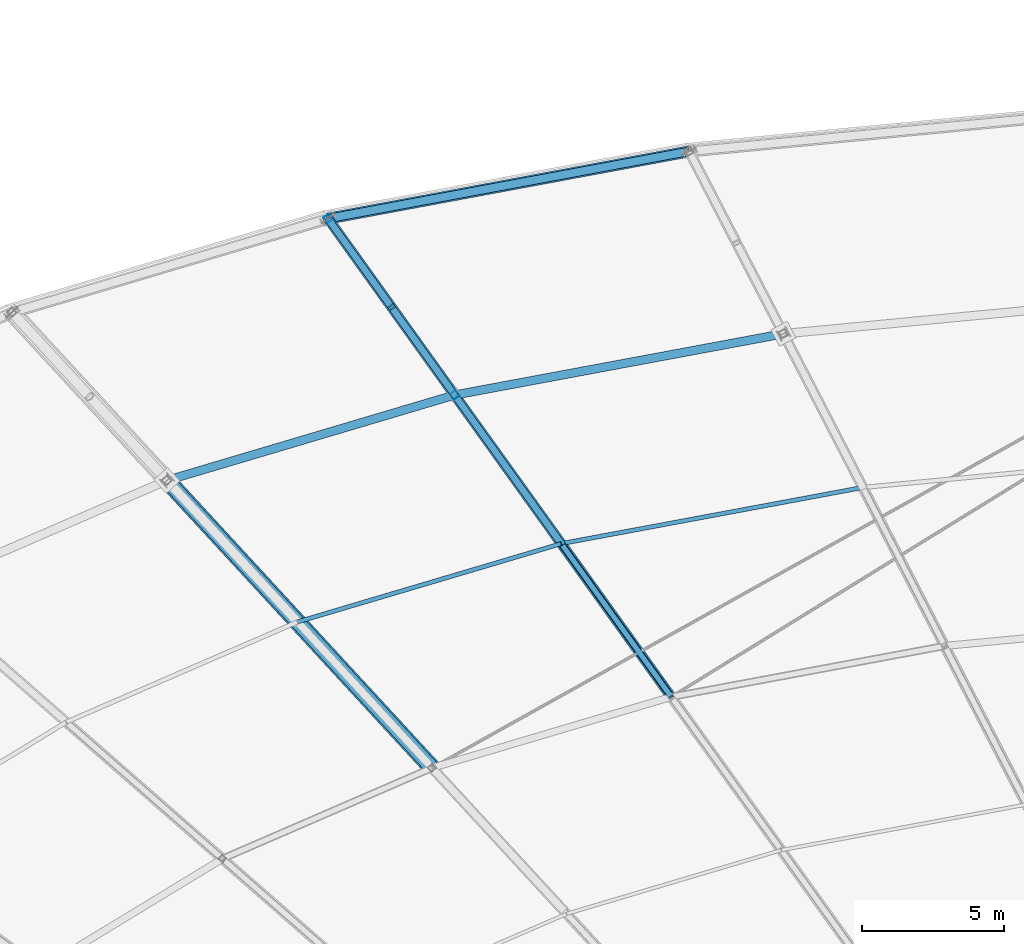
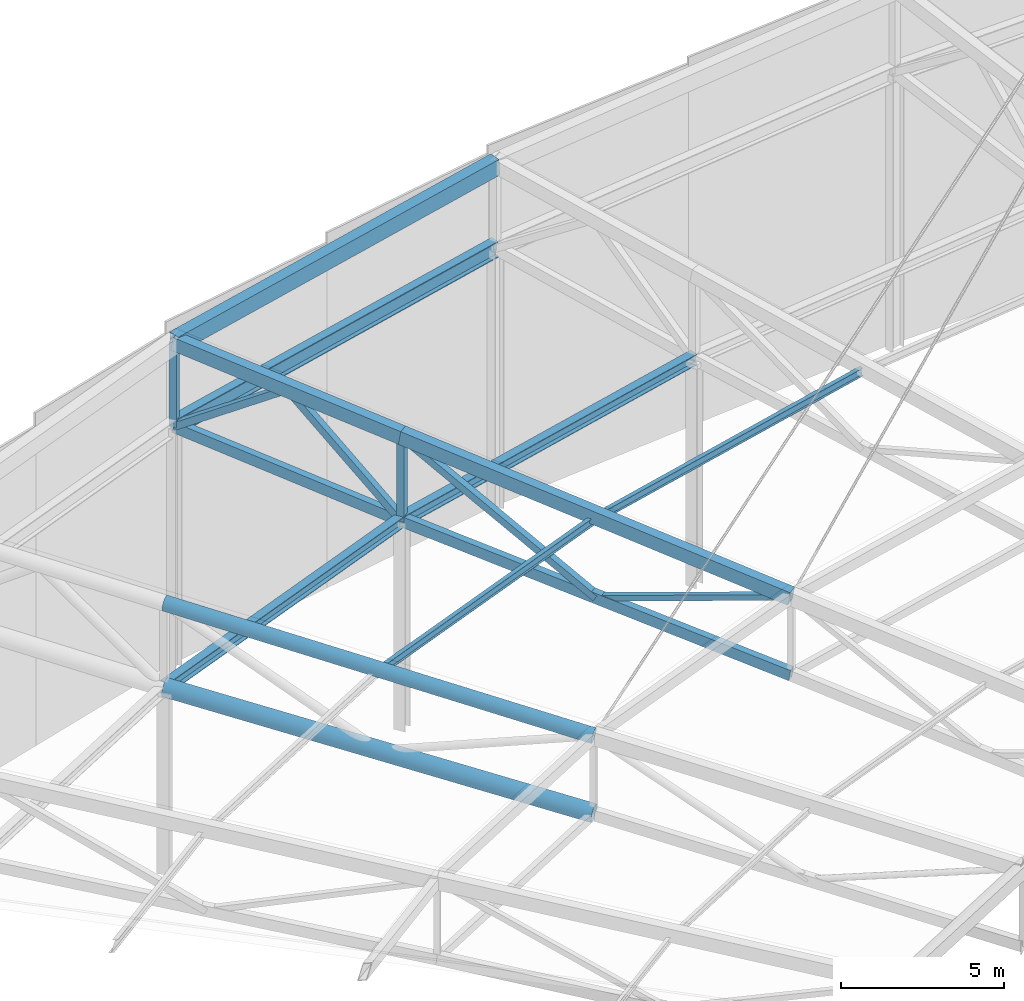
# One storey, part 88 of 143: 10 beams, 8 members.
"""IFC4 building model written with IfcOpenShell, lengths in metres."""

from ifc_helpers import new_model, si_unit, direction, frame, origin, origin_2d, place, context, subcontext, project, spatial, hollow_rectangle, hollow_circle, i_section, extrude, material, material_profile, profile_set, type_object, element, save


model = new_model("IFC4")

# Units and contexts
model_context = context("Model", 3, precision=1e-05, world=origin(), true_north=direction((0.0, 1.0)))
body_context = subcontext(model_context, "Body", "Model", "MODEL_VIEW")
ifc_project = project(units=[si_unit("LENGTHUNIT", "METRE"), si_unit("AREAUNIT", "SQUARE_METRE"), si_unit("VOLUMEUNIT", "CUBIC_METRE"), si_unit("PLANEANGLEUNIT", "RADIAN"), si_unit("MASSUNIT", "GRAM", prefix="KILO")], contexts=[model_context])

# Site, building, storey
site_placement = place(None, origin())
site = spatial("IfcSite", under=ifc_project, at=site_placement, CompositionType="ELEMENT")
building_placement = place(site_placement, origin())
building = spatial("IfcBuilding", under=site, at=building_placement, Name="Mphavela Belvedere Stadium", CompositionType="ELEMENT")
storey_placement = place(building_placement, frame((0.0, 0.0, 28.800048828125)))
storey = spatial("IfcBuildingStorey", under=building, at=storey_placement, Name="RF", CompositionType="ELEMENT", Elevation=28.800048828125)

# Beams
ifc_material_1 = material(Name="Steel S355", Category="steel")
ifc_material_profile_1 = material_profile(ifc_material_1, hollow_rectangle(XDim=0.39990234375, YDim=0.60009765625, WallThickness=0.02001953125, at=origin_2d()), Name="RHS 600x400x20")
ifc_profile_set_1 = profile_set([ifc_material_profile_1], Name="Steel S355")
beam_type_1 = type_object("IfcBeamType", Name="BM-RING-OUT", PredefinedType="BEAM", material=ifc_profile_set_1)
beam_1_placement = place(storey_placement, frame((77.92724609375, 158.767333984375, 12.962890625), z_axis=(-0.98139619099, -0.182760004955, -0.058824288339), x_axis=(0.183077029882, -0.983098571421, 0.0)))
element("IfcBeam", 1, at=beam_1_placement, inside=storey, type_object=beam_type_1, Name="Perimeter compression ring beam RB-OUT-15", PredefinedType="BEAM", context=body_context, shape_type="SweptSolid", body=[
    extrude(hollow_rectangle(XDim=0.39990234375, YDim=0.60009765625, WallThickness=0.02001953125, at=origin_2d()), origin(), (0.0, 0.0, 1.0), 12.9697265625),
])
ifc_material_2 = material(Name="Steel S355", Category="steel")
ifc_material_profile_2 = material_profile(ifc_material_2, i_section(OverallWidth=0.300048828125, OverallDepth=0.39990234375, WebThickness=0.013427734375, FlangeThickness=0.02392578125, at=origin_2d()), Name="HEB 400")
ifc_profile_set_2 = profile_set([ifc_material_profile_2], Name="Steel S355")
beam_type_2 = type_object("IfcBeamType", Name="BM-STEEL-HEB400", PredefinedType="BEAM", material=ifc_profile_set_2)
beam_2_placement = place(storey_placement, frame((81.249755859375, 152.33544921875, 8.485595703125), z_axis=(-0.981396426974, -0.182764743443, -0.058805626242), x_axis=(0.18308157494, -0.983097725009, 0.0)))
element("IfcBeam", 2, at=beam_2_placement, inside=storey, type_object=beam_type_2, Name="Roof bottom-chord tie girder R3-15", PredefinedType="BEAM", context=body_context, shape_type="SweptSolid", body=[
    extrude(i_section(OverallWidth=0.300048828125, OverallDepth=0.39990234375, WebThickness=0.013427734375, FlangeThickness=0.02392578125, at=origin_2d()), origin(), (0.0, 0.0, 1.0), 11.807373046875),
])
beam_3_placement = place(storey_placement, frame((69.662109375, 150.177490234375, 7.791259765625), z_axis=(-0.955164116984, -0.283533798976, -0.085264848933), x_axis=(0.284570111731, -0.958655230784, 0.0)))
element("IfcBeam", 3, at=beam_3_placement, inside=storey, type_object=beam_type_2, Name="Roof bottom-chord tie girder R3-16", PredefinedType="BEAM", context=body_context, shape_type="SweptSolid", body=[
    extrude(i_section(OverallWidth=0.300048828125, OverallDepth=0.39990234375, WebThickness=0.013427734375, FlangeThickness=0.02392578125, at=origin_2d()), origin(), (0.0, 0.0, 1.0), 10.6142578125),
])
ifc_material_3 = material(Name="Steel S355", Category="steel")
ifc_material_profile_3 = material_profile(ifc_material_3, i_section(OverallWidth=0.300048828125, OverallDepth=0.60009765625, WebThickness=0.015380859375, FlangeThickness=0.030029296875, at=origin_2d()), Name="HEB 600")
ifc_profile_set_3 = profile_set([ifc_material_profile_3], Name="Steel S355")
beam_type_3 = type_object("IfcBeamType", Name="BM-STEEL-HEB600", PredefinedType="BEAM", material=ifc_profile_set_3)
beam_4_placement = place(storey_placement, frame((77.92724609375, 158.767333984375, 9.867919921875), z_axis=(-0.98139619099, -0.182760004955, -0.058824288339), x_axis=(0.183077029882, -0.983098571421, 0.0)))
element("IfcBeam", 4, at=beam_4_placement, inside=storey, type_object=beam_type_3, Name="Roof bottom-chord tie girder R4-15", PredefinedType="BEAM", context=body_context, shape_type="SweptSolid", body=[
    extrude(i_section(OverallWidth=0.300048828125, OverallDepth=0.60009765625, WebThickness=0.015380859375, FlangeThickness=0.030029296875, at=origin_2d()), origin(), (0.0, 0.0, 1.0), 12.9697265625),
])
ifc_material_4 = material(Name="Steel S355", Category="steel")
ifc_material_profile_4 = material_profile(ifc_material_4, hollow_circle(Radius=0.304931640625, WallThickness=0.02490234375, at=origin_2d()), Name="CHS 610x25")
ifc_profile_set_4 = profile_set([ifc_material_profile_4], Name="Steel S355")
beam_type_4 = type_object("IfcBeamType", Name="BM-TRUSS-BC1", PredefinedType="BEAM", material=ifc_profile_set_4)
beam_5_placement = place(storey_placement, frame((59.523681640625, 147.16796875, 6.88623046875), z_axis=(0.671877631162, -0.728679516352, -0.132689906146), x_axis=(0.735180274123, 0.677871643116, 0.0)))
element("IfcBeam", 5, at=beam_5_placement, inside=storey, type_object=beam_type_4, Name="Radial roof truss RT-17 bottom chord 2", PredefinedType="BEAM", context=body_context, shape_type="SweptSolid", body=[
    extrude(hollow_circle(Radius=0.304931640625, WallThickness=0.02490234375, at=origin_2d()), origin(), (0.0, 0.0, 1.0), 13.904296875),
])
ifc_material_5 = material(Name="Steel S355", Category="steel")
ifc_material_profile_5 = material_profile(ifc_material_5, hollow_rectangle(XDim=0.25, YDim=0.39990234375, WallThickness=0.01611328125, at=origin_2d()), Name="RHS 400x250x16")
ifc_profile_set_5 = profile_set([ifc_material_profile_5], Name="Steel S355")
beam_type_5 = type_object("IfcBeamType", Name="BM-TRUSS-BC2", PredefinedType="BEAM", material=ifc_profile_set_5)
beam_6_placement = place(storey_placement, frame((65.19873046875, 156.39697265625, 9.10498046875), z_axis=(0.574643665793, -0.800735553335, -0.169136722767), x_axis=(0.812440713385, 0.583043812448, 0.0)))
element("IfcBeam", 6, at=beam_6_placement, inside=storey, type_object=beam_type_5, Name="Radial roof truss RT-16 bottom chord 1", PredefinedType="BEAM", context=body_context, shape_type="SweptSolid", body=[
    extrude(hollow_rectangle(XDim=0.25, YDim=0.39990234375, WallThickness=0.01611328125, at=origin_2d()), origin(), (0.0, 0.0, 1.0), 7.76708984375),
])
beam_7_placement = place(storey_placement, frame((69.662109375, 150.177490234375, 7.791259765625), z_axis=(0.576374993034, -0.803150316464, -0.150802641117), x_axis=(0.812441487165, 0.583042734226, 0.0)))
element("IfcBeam", 7, at=beam_7_placement, inside=storey, type_object=beam_type_5, Name="Radial roof truss RT-16 bottom chord 2", PredefinedType="BEAM", context=body_context, shape_type="SweptSolid", body=[
    extrude(hollow_rectangle(XDim=0.25, YDim=0.39990234375, WallThickness=0.01611328125, at=origin_2d()), origin(), (0.0, 0.0, 1.0), 13.24609375),
])
ifc_material_6 = material(Name="Steel S355", Category="steel")
ifc_material_profile_6 = material_profile(ifc_material_6, hollow_circle(Radius=0.25390625, WallThickness=0.02490234375, at=origin_2d()), Name="CHS 508x25")
ifc_profile_set_6 = profile_set([ifc_material_profile_6], Name="Steel S355")
beam_type_6 = type_object("IfcBeamType", Name="BM-TRUSS-TC1", PredefinedType="BEAM", material=ifc_profile_set_6)
beam_8_placement = place(storey_placement, frame((59.523681640625, 147.16796875, 10.0361328125), z_axis=(0.670172604534, -0.726830343347, -0.150287498223), x_axis=(0.735180274123, 0.677871643116, 0.0)))
element("IfcBeam", 8, at=beam_8_placement, inside=storey, type_object=beam_type_6, Name="Radial roof truss RT-17 top chord 2", PredefinedType="BEAM", context=body_context, shape_type="SweptSolid", body=[
    extrude(hollow_circle(Radius=0.25390625, WallThickness=0.02490234375, at=origin_2d()), origin(), (0.0, 0.0, 1.0), 13.939697265625),
])
ifc_material_7 = material(Name="Steel S355", Category="steel")
ifc_material_profile_7 = material_profile(ifc_material_7, hollow_rectangle(XDim=0.35009765625, YDim=0.5, WallThickness=0.02001953125, at=origin_2d()), Name="RHS 500x350x20")
ifc_profile_set_7 = profile_set([ifc_material_profile_7], Name="Steel S355")
beam_type_7 = type_object("IfcBeamType", Name="BM-TRUSS-TC2", PredefinedType="BEAM", material=ifc_profile_set_7)
beam_9_placement = place(storey_placement, frame((65.19873046875, 156.39697265625, 12.255126953125), z_axis=(0.574640610532, -0.800731295991, -0.169167255545), x_axis=(0.812440713385, 0.583043812448, 0.0)))
element("IfcBeam", 9, at=beam_9_placement, inside=storey, type_object=beam_type_7, Name="Radial roof truss RT-16 top chord 1", PredefinedType="BEAM", context=body_context, shape_type="SweptSolid", body=[
    extrude(hollow_rectangle(XDim=0.35009765625, YDim=0.5, WallThickness=0.02001953125, at=origin_2d()), origin(), (0.0, 0.0, 1.0), 7.767333984375),
])
beam_10_placement = place(storey_placement, frame((69.662109375, 150.177490234375, 10.941162109375), z_axis=(0.574641541485, -0.800734836651, -0.169147332738), x_axis=(0.812441487165, 0.583042734226, 0.0)))
element("IfcBeam", 10, at=beam_10_placement, inside=storey, type_object=beam_type_7, Name="Radial roof truss RT-16 top chord 2", PredefinedType="BEAM", context=body_context, shape_type="SweptSolid", body=[
    extrude(hollow_rectangle(XDim=0.35009765625, YDim=0.5, WallThickness=0.02001953125, at=origin_2d()), origin(), (0.0, 0.0, 1.0), 13.2861328125),
])

# Members
ifc_material_8 = material(Name="Steel S355", Category="steel")
ifc_material_profile_8 = material_profile(ifc_material_8, hollow_rectangle(XDim=0.199951171875, YDim=0.199951171875, WallThickness=0.010009765625, at=origin_2d()), Name="SHS 200x200x10")
ifc_profile_set_8 = profile_set([ifc_material_profile_8], Name="Steel S355")
member_type_1 = type_object("IfcMemberType", Name="MEM-POST-SHS200", PredefinedType="POST", material=ifc_profile_set_8)
member_1_placement = place(storey_placement, frame((73.4794921875, 144.85791015625, 6.79248046875), z_axis=(0.559926518449, -0.780194362845, 0.278888956618), x_axis=(0.812428810785, 0.583060397734, 0.0)))
element("IfcMember", 11, at=member_1_placement, inside=storey, type_object=member_type_1, Name="Radial roof truss RT-16 web diagonal D4", PredefinedType="POST", context=body_context, shape_type="SweptSolid", body=[
    extrude(hollow_rectangle(XDim=0.199951171875, YDim=0.199951171875, WallThickness=0.010009765625, at=origin_2d()), origin(), (0.0, 0.0, 1.0), 6.817626953125),
])
ifc_material_9 = material(Name="Steel S355", Category="steel")
ifc_material_profile_9 = material_profile(ifc_material_9, hollow_rectangle(XDim=0.25, YDim=0.25, WallThickness=0.012451171875, at=origin_2d()), Name="SHS 250x250x12.5")
ifc_profile_set_9 = profile_set([ifc_material_profile_9], Name="Steel S355")
member_type_2 = type_object("IfcMemberType", Name="MEM-POST-SHS250", PredefinedType="POST", material=ifc_profile_set_9)
member_2_placement = place(storey_placement, frame((65.19873046875, 156.39697265625, 9.10498046875), z_axis=(0.0, 0.0, 1.0), x_axis=(-0.582974127943, 0.812490717577, 0.0)))
element("IfcMember", 12, at=member_2_placement, inside=storey, type_object=member_type_2, Name="Radial roof truss RT-16 post P1", PredefinedType="POST", context=body_context, shape_type="SweptSolid", body=[
    extrude(hollow_rectangle(XDim=0.25, YDim=0.25, WallThickness=0.012451171875, at=origin_2d()), origin(), (0.0, 0.0, 1.0), 3.150146484375),
])
member_3_placement = place(storey_placement, frame((69.662109375, 150.177490234375, 7.791259765625), z_axis=(0.0, 0.0, 1.0), x_axis=(-0.582974127943, 0.812490717577, 0.0)))
element("IfcMember", 13, at=member_3_placement, inside=storey, type_object=member_type_2, Name="Radial roof truss RT-16 post P2", PredefinedType="POST", context=body_context, shape_type="SweptSolid", body=[
    extrude(hollow_rectangle(XDim=0.25, YDim=0.25, WallThickness=0.012451171875, at=origin_2d()), origin(), (0.0, 0.0, 1.0), 3.14990234375),
])
member_4_placement = place(storey_placement, frame((65.19873046875, 156.39697265625, 9.10498046875), z_axis=(0.488537586903, -0.680778009186, 0.545776811886), x_axis=(0.812451554227, 0.583028706012, 0.0)))
element("IfcMember", 14, at=member_4_placement, inside=storey, type_object=member_type_2, Name="Radial roof truss RT-16 web diagonal D1", PredefinedType="POST", context=body_context, shape_type="SweptSolid", body=[
    extrude(hollow_rectangle(XDim=0.25, YDim=0.25, WallThickness=0.012451171875, at=origin_2d()), origin(), (0.0, 0.0, 1.0), 4.568115234375),
])
member_5_placement = place(storey_placement, frame((67.430419921875, 153.287109375, 11.59814453125), z_axis=(0.413399603388, -0.576027868762, -0.705189805888), x_axis=(0.812429871701, 0.583058919465, 0.0)))
element("IfcMember", 15, at=member_5_placement, inside=storey, type_object=member_type_2, Name="Radial roof truss RT-16 web diagonal D2", PredefinedType="POST", context=body_context, shape_type="SweptSolid", body=[
    extrude(hollow_rectangle(XDim=0.25, YDim=0.25, WallThickness=0.012451171875, at=origin_2d()), origin(), (0.0, 0.0, 1.0), 5.3984375),
])
member_6_placement = place(storey_placement, frame((69.662109375, 150.177490234375, 10.941162109375), z_axis=(0.49248598219, -0.686286586463, -0.535227314873), x_axis=(0.812454162392, 0.583025071512, 0.0)))
element("IfcMember", 16, at=member_6_placement, inside=storey, type_object=member_type_2, Name="Radial roof truss RT-16 web diagonal D3", PredefinedType="POST", context=body_context, shape_type="SweptSolid", body=[
    extrude(hollow_rectangle(XDim=0.25, YDim=0.25, WallThickness=0.012451171875, at=origin_2d()), origin(), (0.0, 0.0, 1.0), 7.751220703125),
])
ifc_material_10 = material(Name="Steel S355", Category="steel")
ifc_material_profile_10 = material_profile(ifc_material_10, i_section(OverallWidth=0.14990234375, OverallDepth=0.300048828125, WebThickness=0.007080078125, FlangeThickness=0.0107421875, at=origin_2d()), Name="IPE 300")
ifc_profile_set_10 = profile_set([ifc_material_profile_10], Name="Steel S355")
member_type_3 = type_object("IfcMemberType", Name="MEM-PURLIN-IPE300", PredefinedType="PURLIN", material=ifc_profile_set_10)
member_7_placement = place(storey_placement, frame((84.047607421875, 146.9189453125, 10.28173828125), z_axis=(-0.981396162786, -0.182760459831, -0.058823345633), x_axis=(0.18307747536, -0.983098488462, 0.0)))
element("IfcMember", 17, at=member_7_placement, inside=storey, type_object=member_type_3, Name="Saddle canopy steel purlin 15-2", PredefinedType="PURLIN", context=body_context, shape_type="SweptSolid", body=[
    extrude(i_section(OverallWidth=0.14990234375, OverallDepth=0.300048828125, WebThickness=0.007080078125, FlangeThickness=0.0107421875, at=origin_2d()), origin(), (0.0, 0.0, 1.0), 10.828369140625),
])
member_8_placement = place(storey_placement, frame((73.420654296875, 144.93994140625, 9.644775390625), z_axis=(-0.955163200826, -0.283534292231, -0.085273471348), x_axis=(0.284570817546, -0.958655021267, 0.0)))
element("IfcMember", 18, at=member_8_placement, inside=storey, type_object=member_type_3, Name="Saddle canopy steel purlin 16-2", PredefinedType="PURLIN", context=body_context, shape_type="SweptSolid", body=[
    extrude(i_section(OverallWidth=0.14990234375, OverallDepth=0.300048828125, WebThickness=0.007080078125, FlangeThickness=0.0107421875, at=origin_2d()), origin(), (0.0, 0.0, 1.0), 9.734375),
])

save(model, "model.ifc")
